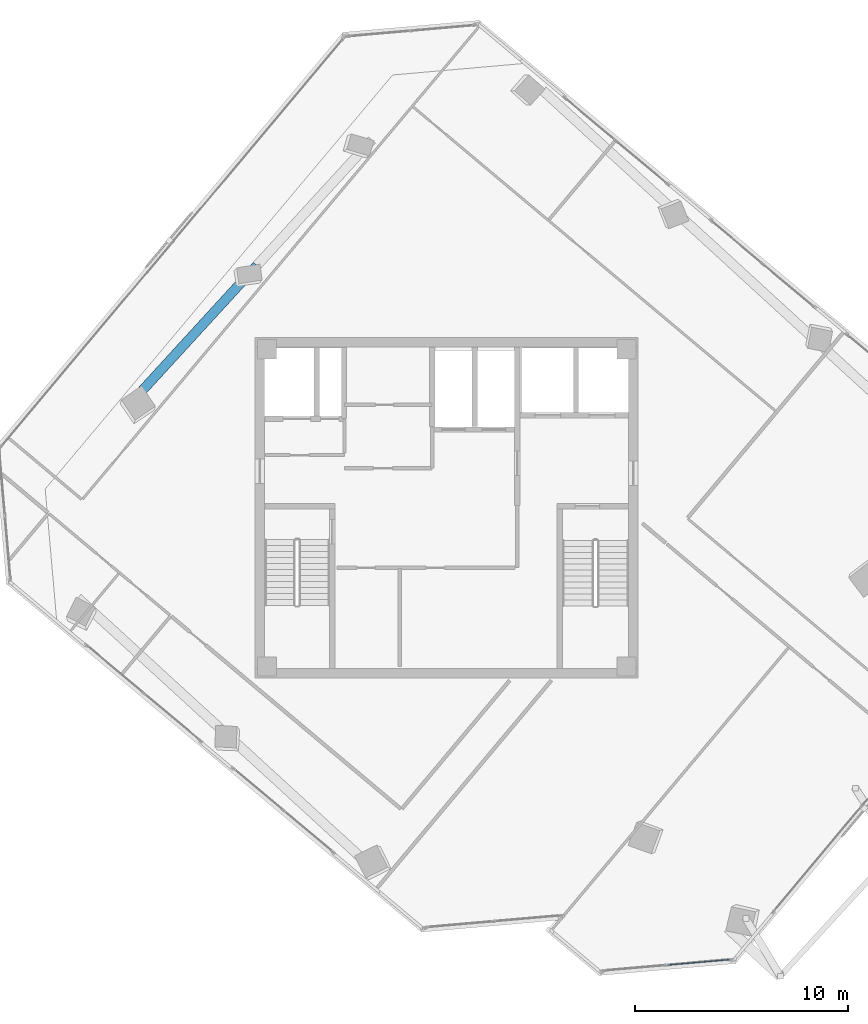
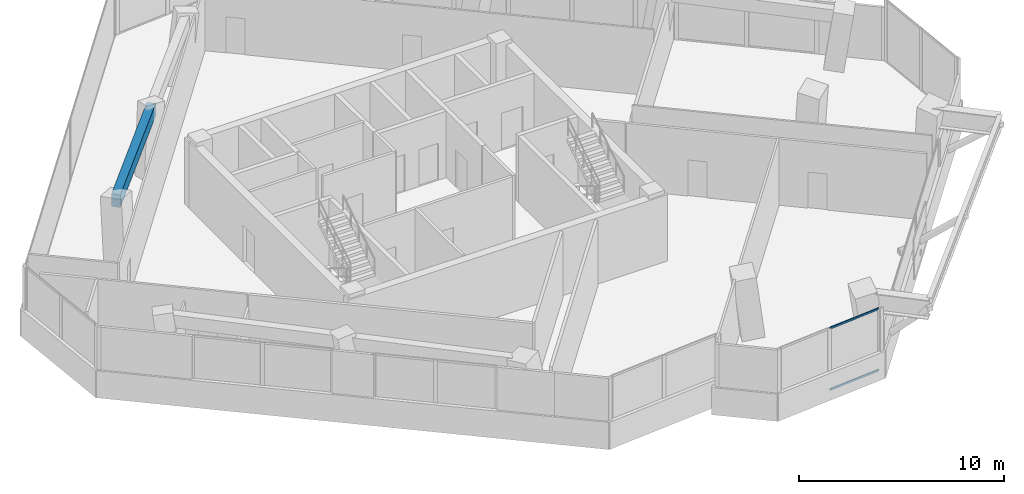
# One storey, part 5 of 18: 2 members, 1 beam, 1 element without a shape of its own.
"""IFC4 building model written with IfcOpenShell, lengths in metres."""

from ifc_helpers import new_model, si_unit, direction, frame, origin, origin_2d, place, context, subcontext, project, spatial, rectangle, hollow_rectangle, extrude, source, transform, mapped, material, material_profile, profile_set, type_object, element, aggregate, save


model = new_model("IFC4")

# Units and contexts
model_context = context("Model", 3, precision=1e-05, world=origin(), true_north=direction((0.0, 1.0)))
body_context = subcontext(model_context, "Body", "Model", "MODEL_VIEW")
ifc_project = project(units=[si_unit("LENGTHUNIT", "METRE"), si_unit("AREAUNIT", "SQUARE_METRE"), si_unit("VOLUMEUNIT", "CUBIC_METRE"), si_unit("PLANEANGLEUNIT", "RADIAN"), si_unit("MASSUNIT", "GRAM", prefix="KILO")], contexts=[model_context])

# Site, building, storey
site_placement = place(None, origin())
site = spatial("IfcSite", under=ifc_project, at=site_placement, CompositionType="ELEMENT")
building_placement = place(site_placement, origin())
building = spatial("IfcBuilding", under=site, at=building_placement, Name="Torre Montelarca", CompositionType="ELEMENT")
storey_placement = place(building_placement, frame((0.0, 0.0, 224.800048828125)))
storey = spatial("IfcBuildingStorey", under=building, at=storey_placement, Name="L50", CompositionType="ELEMENT", Elevation=224.800048828125)

# Beam
ifc_material_1 = material(Name="Concrete C55/67", Category="concrete")
ifc_material_profile_1 = material_profile(ifc_material_1, rectangle(XDim=0.449951171875, YDim=0.75, at=origin_2d()), Name="RCB450X750", Category="concrete")
ifc_profile_set_1 = profile_set([ifc_material_profile_1], Name="Concrete C55/67")
beam_type = type_object("IfcBeamType", Name="BM-SP-RC750-EXT", PredefinedType="SPANDREL", material=ifc_profile_set_1)
shared_shape_1 = source(origin(), body_context, "Body", "SweptSolid", [
    extrude(rectangle(XDim=0.449951171875, YDim=0.75, at=origin_2d()), origin(), (0.0, 0.0, 1.0), 8.0),
])
beam_placement = place(storey_placement, frame((3.672119140625, 37.485595703125, 3.5849609375), z_axis=(0.675596099327, 0.737271938008, 0.0), x_axis=(-0.737271938008, 0.675596099327, 0.0)))
element("IfcBeam", 1, at=beam_placement, inside=storey, type_object=beam_type, Name="L50 Grid Girder Y 24.0-32.0 at X=4.7", PredefinedType="SPANDREL", context=body_context, shape_type="MappedRepresentation", body=[
    mapped(shared_shape_1, transform((0.0, 0.0, 0.0), scale=1.0)),
])

# Curtain wall, members
ifc_material_2 = material(Name="Insulated low-E laminated glass", Category="glass")
curtain_wall_type = type_object("IfcCurtainWallType", Name="CW-SYS-Z3", PredefinedType="USERDEFINED", material=ifc_material_2)
curtain_wall_placement = place(storey_placement, origin())
curtain_wall = element("IfcCurtainWall", 2, at=curtain_wall_placement, inside=storey, type_object=curtain_wall_type, Name="L50 Curtain Wall Run CW-T3-L50-E05-B1", ObjectType="UNITISED GLAZING", PredefinedType="USERDEFINED")
ifc_material_3 = material(Name="Anodised aluminium AA 6063-T6", Category="aluminium")
ifc_material_profile_2 = material_profile(ifc_material_3, hollow_rectangle(XDim=0.054931640625, YDim=0.1201171875, WallThickness=0.00341796875, InnerFilletRadius=0.00341796875, OuterFilletRadius=0.007080078125, at=origin_2d()), Name="ALU55X120X3.5", Category="aluminium")
ifc_profile_set_2 = profile_set([ifc_material_profile_2], Name="Anodised aluminium AA 6063-T6")
member_type = type_object("IfcMemberType", Name="CWT-ALU120", PredefinedType="USERDEFINED", material=ifc_profile_set_2)
shared_shape_2 = source(origin(), body_context, "Body", "SweptSolid", [
    extrude(hollow_rectangle(XDim=0.054931640625, YDim=0.1201171875, WallThickness=0.00341796875, InnerFilletRadius=0.00341796875, OuterFilletRadius=0.007080078125, at=origin_2d()), origin(), (0.0, 0.0, 1.0), 2.903564453125),
])
member_1_placement = place(storey_placement, frame((28.385986328125, 10.515869140625, 0.02734375), z_axis=(0.996191526826, 0.087191982893, 0.0), x_axis=(-0.087191982893, 0.996191526826, 0.0)))
member_1 = element("IfcMember", 3, at=member_1_placement, type_object=member_type, Name="CW transom 2.1", ObjectType="TRANSOM", PredefinedType="USERDEFINED", context=body_context, shape_type="MappedRepresentation", body=[
    mapped(shared_shape_2, transform((0.0, 0.0, 0.0), scale=1.0)),
])
member_2_placement = place(storey_placement, frame((28.385986328125, 10.515869140625, 3.6923828125), z_axis=(0.996191526826, 0.087191982893, 0.0), x_axis=(-0.087191982893, 0.996191526826, 0.0)))
member_2 = element("IfcMember", 4, at=member_2_placement, type_object=member_type, Name="CW transom 2.2", ObjectType="TRANSOM", PredefinedType="USERDEFINED", context=body_context, shape_type="MappedRepresentation", body=[
    mapped(shared_shape_2, transform((0.0, 0.0, 0.0), scale=1.0)),
])
aggregate(curtain_wall, [member_1, member_2])

save(model, "model.ifc")
